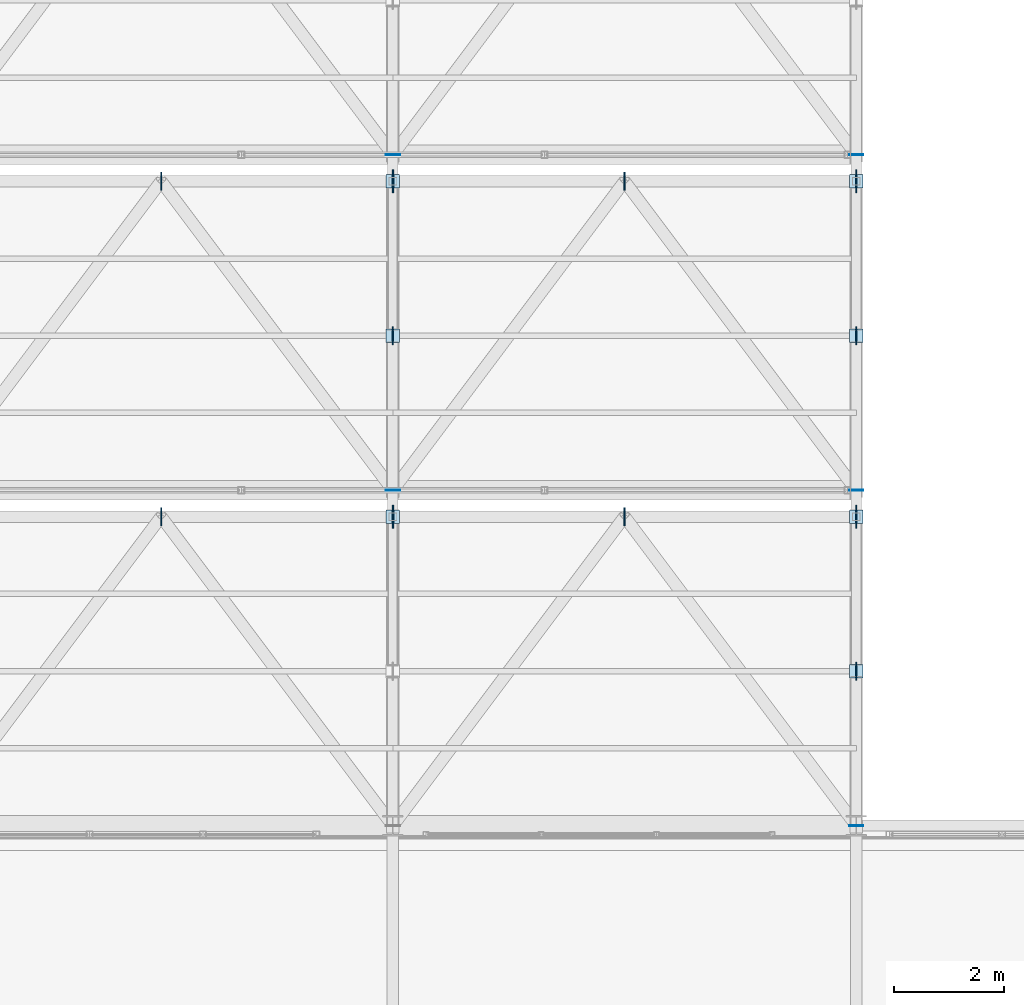
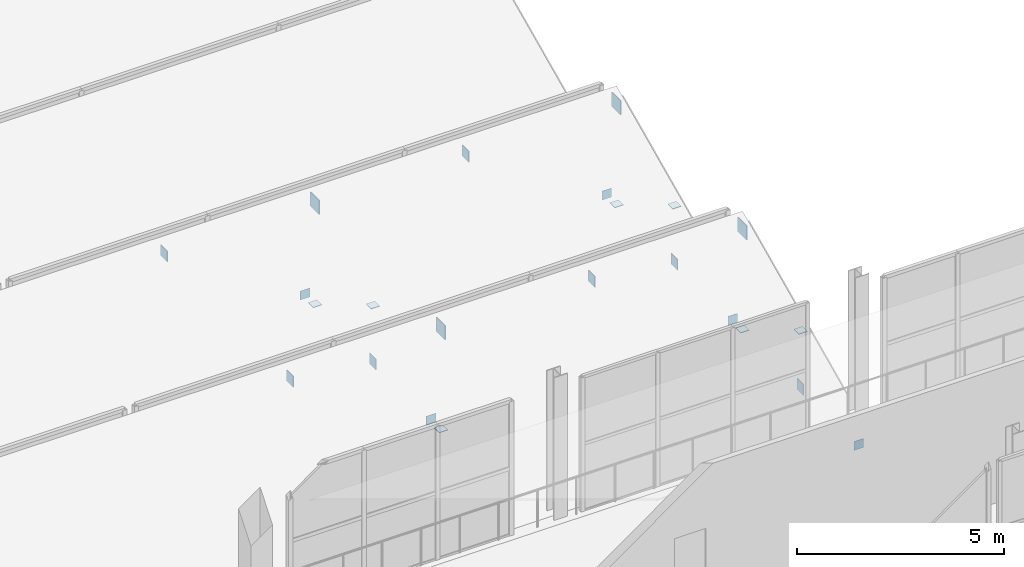
# One storey, part 183 of 217: 23 plates.
"""IFC4 building model written with IfcOpenShell, lengths in metres."""

from ifc_helpers import new_model, si_unit, direction, frame, origin, origin_2d, place, context, subcontext, project, spatial, rectangle, extrude, material, layer, layer_set, type_object, element, save


model = new_model("IFC4")

# Units and contexts
model_context = context("Model", 3, precision=1e-05, world=origin(), true_north=direction((0.0, 1.0)))
body_context = subcontext(model_context, "Body", "Model", "MODEL_VIEW")
ifc_project = project(units=[si_unit("LENGTHUNIT", "METRE"), si_unit("AREAUNIT", "SQUARE_METRE"), si_unit("VOLUMEUNIT", "CUBIC_METRE"), si_unit("PLANEANGLEUNIT", "RADIAN"), si_unit("MASSUNIT", "GRAM", prefix="KILO")], contexts=[model_context])

# Site, building, storey
site_placement = place(None, origin())
site = spatial("IfcSite", under=ifc_project, at=site_placement, CompositionType="ELEMENT")
building_placement = place(site_placement, origin())
building = spatial("IfcBuilding", under=site, at=building_placement, Name="Zuvorla Pavilion Media Centre", CompositionType="ELEMENT")
storey_placement = place(building_placement, frame((0.0, 0.0, 9.60009765625)))
storey = spatial("IfcBuildingStorey", under=building, at=storey_placement, Name="L02", CompositionType="ELEMENT", Elevation=9.60009765625)

# Plates
ifc_material = material(Name="Steel S355", Category="steel")
ifc_layer_1 = layer(ifc_material, 0.01611328125)
ifc_layer_set_1 = layer_set([ifc_layer_1], Name="Steel S355")
plate_type_1 = type_object("IfcPlateType", Name="PLT-CAP-16", PredefinedType="USERDEFINED", material=ifc_layer_set_1)
for number, where, z_axis, x_axis, name in (
    (1, (134.0, 89.60009765625, -1.01025390625), (0.0, 0.0, 1.0), (1.0, 0.0, 0.0), "L02 cap plate CP16 18"),
    (2, (125.60009765625, 95.679931640625, -1.01025390625), (0.0, 0.0, 1.0), (1.0, 0.0, 0.0), "L02 cap plate CP16 34"),
    (3, (134.0, 95.679931640625, -1.01025390625), (0.0, 0.0, 1.0), (1.0, 0.0, 0.0), "L02 cap plate CP16 36"),
    (4, (125.60009765625, 101.760009765625, -1.01025390625), (0.0, 0.0, 1.0), (1.0, 0.0, 0.0), "L02 cap plate CP16 52"),
    (5, (134.0, 101.760009765625, -1.01025390625), (0.0, 0.0, 1.0), (1.0, 0.0, 0.0), "L02 cap plate CP16 54"),
):
    element("IfcPlate", number, at=place(storey_placement, frame(where, z_axis=z_axis, x_axis=x_axis)), inside=storey, type_object=plate_type_1, Name=name, ObjectType="CAP_PLATE", PredefinedType="USERDEFINED", context=body_context, shape_type="SweptSolid", body=[
        extrude(rectangle(XDim=0.260009765625, YDim=0.01611328125, at=origin_2d()), origin(), (0.0, 0.0, 1.0), 0.260009765625),
    ])
for number, where, z_axis, x_axis, name in (
    (6, (125.60009765625, 95.199951171875, -0.88818359375), (0.0, 0.0, 1.0), (1.0, 0.0, 0.0), "L02 cap plate CP16 238"),
    (7, (134.0, 95.199951171875, -0.88818359375), (0.0, 0.0, 1.0), (1.0, 0.0, 0.0), "L02 cap plate CP16 241"),
    (8, (134.0, 92.39990234375, 0.771728515625), (0.0, 0.0, 1.0), (1.0, 0.0, 0.0), "L02 cap plate CP16 243"),
    (9, (125.60009765625, 101.280029296875, -0.88818359375), (0.0, 0.0, 1.0), (1.0, 0.0, 0.0), "L02 cap plate CP16 273"),
    (10, (125.60009765625, 98.47998046875, 0.771728515625), (0.0, 0.0, 1.0), (1.0, 0.0, 0.0), "L02 cap plate CP16 275"),
    (11, (134.0, 101.280029296875, -0.88818359375), (0.0, 0.0, 1.0), (1.0, 0.0, 0.0), "L02 cap plate CP16 276"),
    (12, (134.0, 98.47998046875, 0.771728515625), (0.0, 0.0, 1.0), (1.0, 0.0, 0.0), "L02 cap plate CP16 278"),
):
    element("IfcPlate", number, at=place(storey_placement, frame(where, z_axis=z_axis, x_axis=x_axis)), inside=storey, type_object=plate_type_1, Name=name, ObjectType="CAP_PLATE", PredefinedType="USERDEFINED", context=body_context, shape_type="SweptSolid", body=[
        extrude(rectangle(XDim=0.239990234375, YDim=0.239990234375, at=origin_2d()), origin(), (0.0, 0.0, 1.0), 0.01611328125),
    ])
ifc_layer_2 = layer(ifc_material, 0.02001953125)
ifc_layer_set_2 = layer_set([ifc_layer_2], Name="Steel S355")
plate_type_2 = type_object("IfcPlateType", Name="PLT-GUS-20", PredefinedType="USERDEFINED", material=ifc_layer_set_2)
for number, where, z_axis, x_axis, name in (
    (13, (134.0, 92.39990234375, -1.0400390625), (0.0, 0.0, 1.0), (1.0, 0.0, 0.0), "L02 gusset plate GP20 242"),
    (14, (121.39990234375, 95.199951171875, 1.919921875), (0.0, 0.0, 1.0), (1.0, 0.0, 0.0), "L02 gusset plate GP20 250"),
    (15, (129.800048828125, 95.199951171875, 1.919921875), (0.0, 0.0, 1.0), (1.0, 0.0, 0.0), "L02 gusset plate GP20 251"),
    (16, (125.60009765625, 98.47998046875, -1.0400390625), (0.0, 0.0, 1.0), (1.0, 0.0, 0.0), "L02 gusset plate GP20 274"),
    (17, (134.0, 98.47998046875, -1.0400390625), (0.0, 0.0, 1.0), (1.0, 0.0, 0.0), "L02 gusset plate GP20 277"),
    (18, (121.39990234375, 101.280029296875, 1.919921875), (0.0, 0.0, 1.0), (1.0, 0.0, 0.0), "L02 gusset plate GP20 285"),
    (19, (129.800048828125, 101.280029296875, 1.919921875), (0.0, 0.0, 1.0), (1.0, 0.0, 0.0), "L02 gusset plate GP20 286"),
):
    element("IfcPlate", number, at=place(storey_placement, frame(where, z_axis=z_axis, x_axis=x_axis)), inside=storey, type_object=plate_type_2, Name=name, ObjectType="GUSSET_PLATE", PredefinedType="USERDEFINED", context=body_context, shape_type="SweptSolid", body=[
        extrude(rectangle(XDim=0.02001953125, YDim=0.320068359375, at=origin_2d()), origin(), (0.0, 0.0, 1.0), 0.320068359375),
    ])
ifc_layer_3 = layer(ifc_material, 0.02490234375)
ifc_layer_set_3 = layer_set([ifc_layer_3], Name="Steel S355")
plate_type_3 = type_object("IfcPlateType", Name="PLT-GUS-25", PredefinedType="USERDEFINED", material=ifc_layer_set_3)
for number, where, z_axis, x_axis, name in (
    (20, (125.60009765625, 95.199951171875, 1.87353515625), (0.0, 0.0, 1.0), (1.0, 0.0, 0.0), "L02 gusset plate GP25 15"),
    (21, (134.0, 95.199951171875, 1.87353515625), (0.0, 0.0, 1.0), (1.0, 0.0, 0.0), "L02 gusset plate GP25 17"),
    (22, (125.60009765625, 101.280029296875, 1.87353515625), (0.0, 0.0, 1.0), (1.0, 0.0, 0.0), "L02 gusset plate GP25 33"),
    (23, (134.0, 101.280029296875, 1.87353515625), (0.0, 0.0, 1.0), (1.0, 0.0, 0.0), "L02 gusset plate GP25 35"),
):
    element("IfcPlate", number, at=place(storey_placement, frame(where, z_axis=z_axis, x_axis=x_axis)), inside=storey, type_object=plate_type_3, Name=name, ObjectType="GUSSET_PLATE", PredefinedType="USERDEFINED", context=body_context, shape_type="SweptSolid", body=[
        extrude(rectangle(XDim=0.02490234375, YDim=0.419921875, at=origin_2d()), origin(), (0.0, 0.0, 1.0), 0.419921875),
    ])

save(model, "model.ifc")
